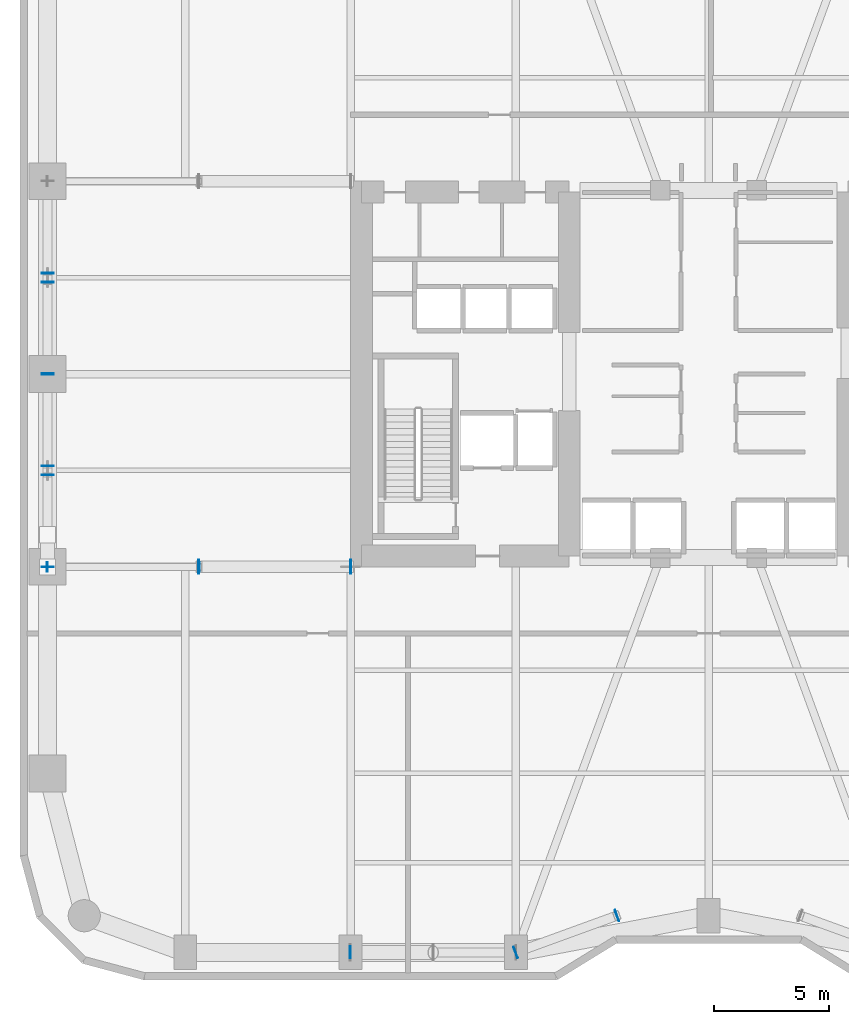
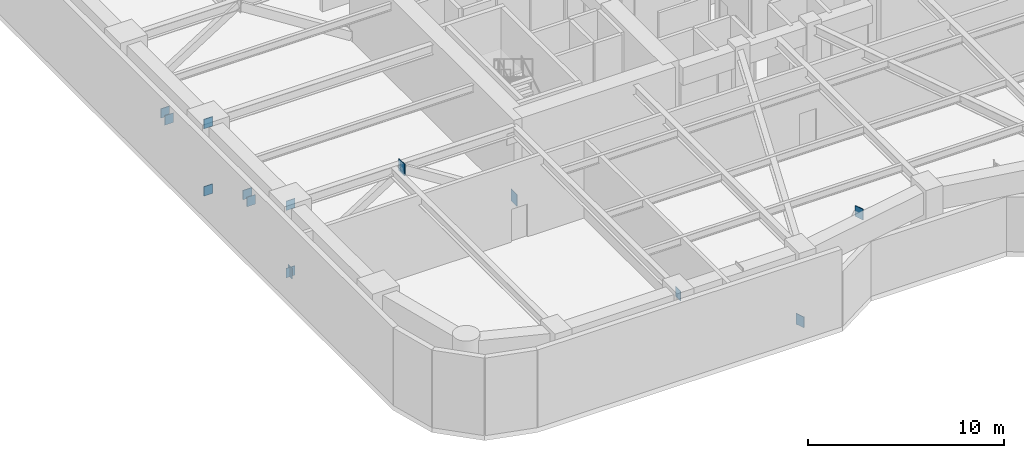
# One storey, part 8 of 16: 17 plates.
"""IFC4 building model written with IfcOpenShell, lengths in metres."""

from ifc_helpers import new_model, si_unit, direction, frame, origin, origin_2d, place, context, subcontext, project, spatial, rectangle, extrude, material, layer, layer_set, type_object, element, save


model = new_model("IFC4")

# Units and contexts
model_context = context("Model", 3, precision=1e-05, world=origin(), true_north=direction((0.0, 1.0)))
body_context = subcontext(model_context, "Body", "Model", "MODEL_VIEW")
ifc_project = project(units=[si_unit("LENGTHUNIT", "METRE"), si_unit("AREAUNIT", "SQUARE_METRE"), si_unit("VOLUMEUNIT", "CUBIC_METRE"), si_unit("PLANEANGLEUNIT", "RADIAN"), si_unit("MASSUNIT", "GRAM", prefix="KILO")], contexts=[model_context])

# Site, building, storey
site_placement = place(None, origin())
site = spatial("IfcSite", under=ifc_project, at=site_placement, CompositionType="ELEMENT")
building_placement = place(site_placement, origin())
building = spatial("IfcBuilding", under=site, at=building_placement, Name="Kiyonajd Concourse Tower", CompositionType="ELEMENT")
storey_placement = place(building_placement, frame((0.0, 0.0, 80.699951171875)))
storey = spatial("IfcBuildingStorey", under=building, at=storey_placement, Name="L21", CompositionType="ELEMENT", Elevation=80.699951171875)

# Plates
ifc_material = material(Name="Steel ASTM A572 Grade 50", Category="steel")
ifc_layer = layer(ifc_material, 0.031982421875)
ifc_layer_set = layer_set([ifc_layer], Name="Steel ASTM A572 Grade 50")
plate_type = type_object("IfcPlateType", Name="PL-CAP-540", PredefinedType="USERDEFINED", material=ifc_layer_set)
for number, where, z_axis, x_axis, name in (
    (1, (32.4091796875, 27.60009765625, -0.07177734375), (0.0, 0.0, 1.0), (1.0, 0.0, 0.0), "L21 Outrigger End Cap Plate 01"),
    (2, (25.790771484375, 27.60009765625, 4.1298828125), (0.0, 0.0, 1.0), (-1.0, 0.0, 0.0), "L21 Outrigger Far End Cap Plate 01"),
):
    element("IfcPlate", number, at=place(storey_placement, frame(where, z_axis=z_axis, x_axis=x_axis)), inside=storey, type_object=plate_type, Name=name, ObjectType="CAP PLATE", PredefinedType="USERDEFINED", context=body_context, shape_type="SweptSolid", body=[
        extrude(rectangle(XDim=0.035888671875, YDim=0.6201171875, at=origin_2d()), origin(), (0.0, 0.0, 1.0), 0.73193359375),
    ])
for number, where, z_axis, x_axis, name in (
    (3, (25.809326171875, 27.60009765625, 4.1591796875), (0.0, 0.0, 1.0), (1.0, 0.0, 0.0), "L21 Outrigger End Cap Plate 02"),
    (4, (19.190673828125, 27.60009765625, -0.04248046875), (0.0, 0.0, 1.0), (-1.0, 0.0, 0.0), "L21 Outrigger Far End Cap Plate 02"),
):
    element("IfcPlate", number, at=place(storey_placement, frame(where, z_axis=z_axis, x_axis=x_axis)), inside=storey, type_object=plate_type, Name=name, ObjectType="CAP PLATE", PredefinedType="USERDEFINED", context=body_context, shape_type="SweptSolid", body=[
        extrude(rectangle(XDim=0.035888671875, YDim=0.419921875, at=origin_2d()), origin(), (0.0, 0.0, 1.0), 0.673095703125),
    ])
plate_placement = place(storey_placement, frame((32.390380859375, 10.800048828125, 4.194091796875), z_axis=(0.0, 0.0, 1.0), x_axis=(-1.0, 0.0, 0.0)))
element("IfcPlate", 5, at=plate_placement, inside=storey, type_object=plate_type, Name="L21 Outrigger End Cap Plate 09", ObjectType="CAP PLATE", PredefinedType="USERDEFINED", context=body_context, shape_type="SweptSolid", body=[
    extrude(rectangle(XDim=0.035888671875, YDim=0.52001953125, at=origin_2d()), origin(), (0.0, 0.0, 1.0), 0.60302734375),
])
for number, where, z_axis, x_axis, name in (
    (6, (39.59228515625, 10.797119140625, -0.0458984375), (0.0, 0.0, 1.0), (-0.939811951086, -0.341692107891, 0.0), "L21 Outrigger End Cap Plate 10"),
    (7, (44.0078125, 12.40283203125, 4.15869140625), (0.0, 0.0, 1.0), (0.939811951086, 0.341692107891, 0.0), "L21 Outrigger Far End Cap Plate 10"),
):
    element("IfcPlate", number, at=place(storey_placement, frame(where, z_axis=z_axis, x_axis=x_axis)), inside=storey, type_object=plate_type, Name=name, ObjectType="CAP PLATE", PredefinedType="USERDEFINED", context=body_context, shape_type="SweptSolid", body=[
        extrude(rectangle(XDim=0.035888671875, YDim=0.52001953125, at=origin_2d()), origin(), (0.0, 0.0, 1.0), 0.677001953125),
    ])
for number, where, z_axis, x_axis, name in (
    (8, (19.199951171875, 27.590087890625, 4.201416015625), (0.0, 0.0, 1.0), (0.0, -1.0, 0.0), "L21 X Brace End Cap W1"),
    (9, (19.199951171875, 36.009765625, 0.001708984375), (0.0, 0.0, 1.0), (0.0, 1.0, 0.0), "L21 X Brace Far End Cap W1"),
    (10, (19.199951171875, 27.590087890625, 0.001708984375), (0.0, 0.0, 1.0), (0.0, -1.0, 0.0), "L21 Split X Brace Outer Cap W1"),
    (11, (19.199951171875, 36.009765625, 4.201416015625), (0.0, 0.0, 1.0), (0.0, 1.0, 0.0), "L21 Split X Brace Outer Cap W1"),
    (12, (19.199951171875, 31.60400390625, 2.00390625), (0.0, 0.0, 1.0), (0.0, 1.0, 0.0), "L21 Split X Brace Node Collar W1"),
    (13, (19.199951171875, 31.99609375, 2.199462890625), (0.0, 0.0, 1.0), (0.0, -1.0, 0.0), "L21 Split X Brace Node Collar W1"),
    (14, (19.199951171875, 35.990234375, 4.201416015625), (0.0, 0.0, 1.0), (0.0, -1.0, 0.0), "L21 X Brace End Cap W2"),
    (15, (19.199951171875, 35.990234375, 0.001708984375), (0.0, 0.0, 1.0), (0.0, -1.0, 0.0), "L21 Split X Brace Outer Cap W2"),
    (16, (19.199951171875, 40.00390625, 2.00390625), (0.0, 0.0, 1.0), (0.0, 1.0, 0.0), "L21 Split X Brace Node Collar W2"),
    (17, (19.199951171875, 40.39599609375, 2.199462890625), (0.0, 0.0, 1.0), (0.0, -1.0, 0.0), "L21 Split X Brace Node Collar W2"),
):
    element("IfcPlate", number, at=place(storey_placement, frame(where, z_axis=z_axis, x_axis=x_axis)), inside=storey, type_object=plate_type, Name=name, ObjectType="CAP PLATE", PredefinedType="USERDEFINED", context=body_context, shape_type="SweptSolid", body=[
        extrude(rectangle(XDim=0.035888671875, YDim=0.52001953125, at=origin_2d()), origin(), (0.0, 0.0, 1.0), 0.5869140625),
    ])

save(model, "model.ifc")
